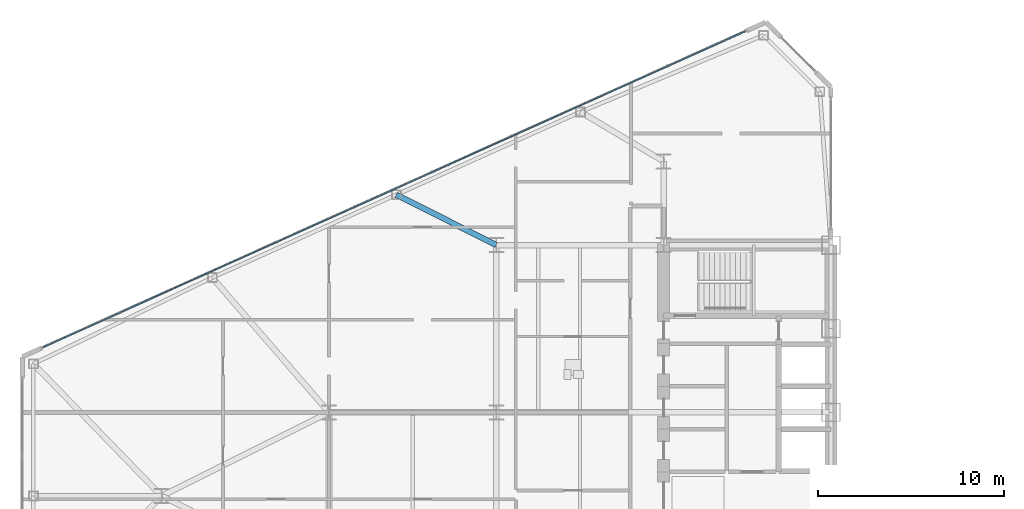
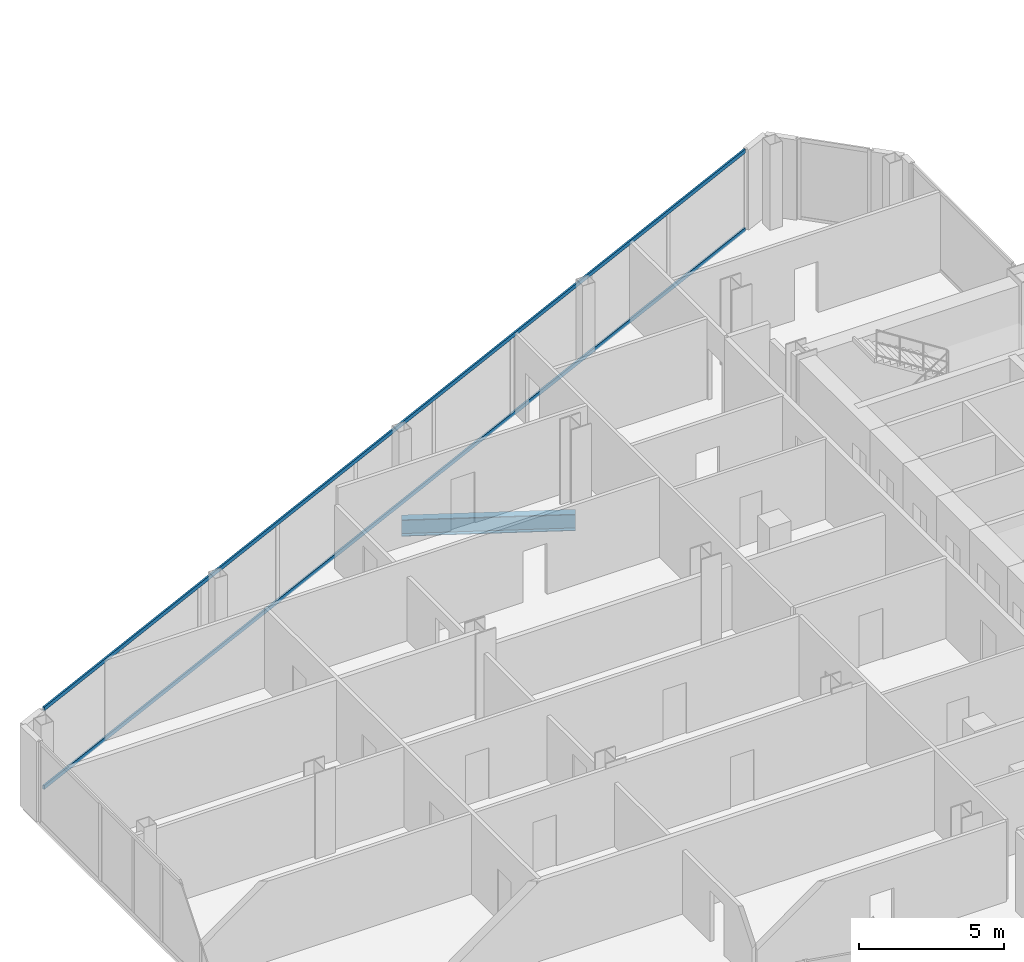
# One storey, part 8 of 27: 2 members, 1 beam, 1 element without a shape of its own.
"""IFC4 building model written with IfcOpenShell, lengths in metres."""

from ifc_helpers import new_model, si_unit, direction, frame, origin, origin_2d, place, context, subcontext, project, spatial, rectangle, i_section, extrude, source, transform, mapped, material, layer, layer_set, material_profile, profile_set, type_object, type_shapes, element, aggregate, save


model = new_model("IFC4")

# Units and contexts
model_context = context("Model", 3, precision=1e-05, world=origin(), true_north=direction((0.0, 1.0)))
body_context = subcontext(model_context, "Body", "Model", "MODEL_VIEW")
ifc_project = project(units=[si_unit("LENGTHUNIT", "METRE"), si_unit("AREAUNIT", "SQUARE_METRE"), si_unit("VOLUMEUNIT", "CUBIC_METRE"), si_unit("PLANEANGLEUNIT", "RADIAN"), si_unit("MASSUNIT", "GRAM", prefix="KILO")], contexts=[model_context])

# Site, building, storey
site_placement = place(None, origin())
site = spatial("IfcSite", under=ifc_project, at=site_placement, CompositionType="ELEMENT")
building_placement = place(site_placement, origin())
building = spatial("IfcBuilding", under=site, at=building_placement, Name="Seokmaru Belvedere", CompositionType="ELEMENT")
storey_placement = place(building_placement, frame((0.0, 0.0, 76.5)))
storey = spatial("IfcBuildingStorey", under=building, at=storey_placement, Name="L20", CompositionType="ELEMENT", Elevation=76.5)

# Beam
ifc_material_1 = material(Name="Steel SM355 (355 MPa)", Category="steel")
ifc_material_profile_1 = material_profile(ifc_material_1, i_section(OverallWidth=0.300048828125, OverallDepth=0.699951171875, WebThickness=0.012939453125, FlangeThickness=0.02392578125, at=origin_2d()), Name="H-700x300x13x24")
ifc_profile_set_1 = profile_set([ifc_material_profile_1], Name="Steel SM355 (355 MPa)")
beam_type = type_object("IfcBeamType", Name="Primary Floor Girder H-700", PredefinedType="BEAM", material=ifc_profile_set_1)
shared_shape_1 = source(origin(), body_context, "Body", "SweptSolid", [
    extrude(i_section(OverallWidth=0.300048828125, OverallDepth=0.699951171875, WebThickness=0.012939453125, FlangeThickness=0.02392578125, at=origin_2d()), origin(), (0.0, 0.0, 1.0), 6.017333984375),
])
type_shapes(beam_type, [shared_shape_1])
beam_placement = place(storey_placement, frame((-50.875, 16.205322265625, -0.570068359375), z_axis=(0.893239341975, -0.449581447512, 0.0), x_axis=(0.449581447512, 0.893239341975, 0.0)))
element("IfcBeam", 1, at=beam_placement, inside=storey, type_object=beam_type, Name="L20 W Flank Radial Floor Girder N-2", PredefinedType="BEAM", context=body_context, shape_type="MappedRepresentation", body=[
    mapped(shared_shape_1, transform((0.0, 0.0, 0.0), scale=1.0)),
])

# Curtain wall, members
ifc_material_2 = material(Name="Bronze Triple Insulating Glass", Category="glass")
ifc_layer = layer(ifc_material_2, 0.195068359375)
ifc_layer_set = layer_set([ifc_layer], Name="Bronze Triple Insulating Glass")
curtain_wall_type = type_object("IfcCurtainWallType", Name="Lower-Mid Tapered Curtain Wall System CW-3", PredefinedType="NOTDEFINED", material=ifc_layer_set)
curtain_wall_placement = place(storey_placement, origin())
curtain_wall = element("IfcCurtainWall", 2, at=curtain_wall_placement, inside=storey, type_object=curtain_wall_type, Name="L20 Curtain Wall WF3", PredefinedType="NOTDEFINED")
ifc_material_3 = material(Name="Anodised Bronze Aluminium", Category="aluminium")
ifc_material_profile_2 = material_profile(ifc_material_3, rectangle(XDim=0.070068359375, YDim=0.1650390625, at=origin_2d()), Name="CW-T-70x165")
ifc_profile_set_2 = profile_set([ifc_material_profile_2], Name="Anodised Bronze Aluminium")
member_type = type_object("IfcMemberType", Name="Bronze Unitised Transom 70x165", PredefinedType="USERDEFINED", material=ifc_profile_set_2)
shared_shape_2 = source(origin(), body_context, "Body", "SweptSolid", [
    extrude(rectangle(XDim=0.070068359375, YDim=0.1650390625, at=origin_2d()), origin(), (0.0, 0.0, 1.0), 41.423583984375),
])
type_shapes(member_type, [shared_shape_2])
member_1_placement = place(storey_placement, frame((-32.112548828125, 24.99951171875, 0.034912109375), z_axis=(-0.911918637916, -0.410371048956, 0.0), x_axis=(0.410371048956, -0.911918637916, 0.0)))
member_1 = element("IfcMember", 3, at=member_1_placement, type_object=member_type, Name="CW:L20:WF3 Continuous Transom 1", ObjectType="TRANSOM", PredefinedType="USERDEFINED", context=body_context, shape_type="MappedRepresentation", body=[
    mapped(shared_shape_2, transform((0.0, 0.0, 0.0), scale=1.0)),
])
member_2_placement = place(storey_placement, frame((-32.112548828125, 24.99951171875, 3.344970703125), z_axis=(-0.911918637916, -0.410371048956, 0.0), x_axis=(0.410371048956, -0.911918637916, 0.0)))
member_2 = element("IfcMember", 4, at=member_2_placement, type_object=member_type, Name="CW:L20:WF3 Continuous Transom 2", ObjectType="TRANSOM", PredefinedType="USERDEFINED", context=body_context, shape_type="MappedRepresentation", body=[
    mapped(shared_shape_2, transform((0.0, 0.0, 0.0), scale=1.0)),
])
aggregate(curtain_wall, [member_1, member_2])

save(model, "model.ifc")
